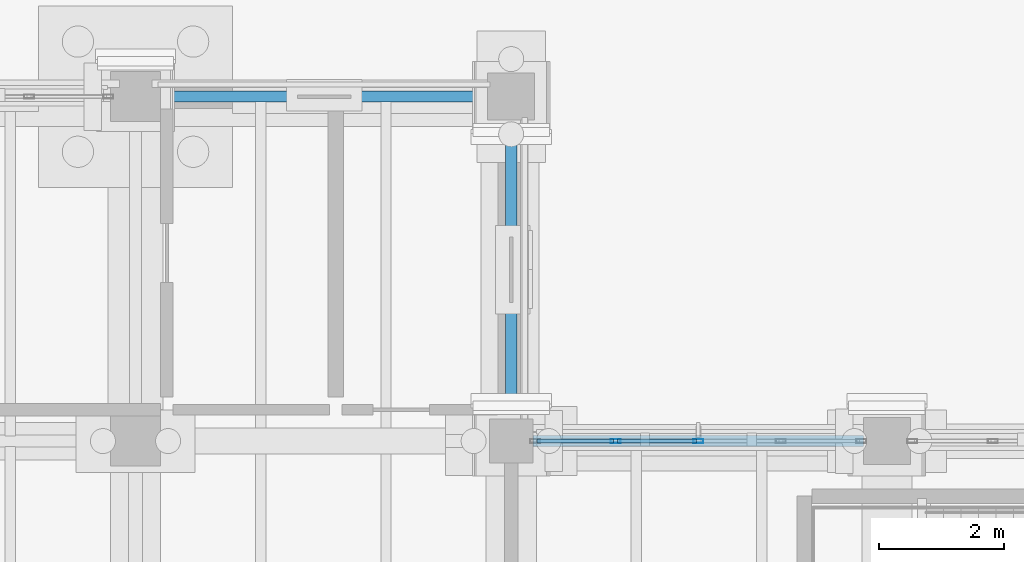
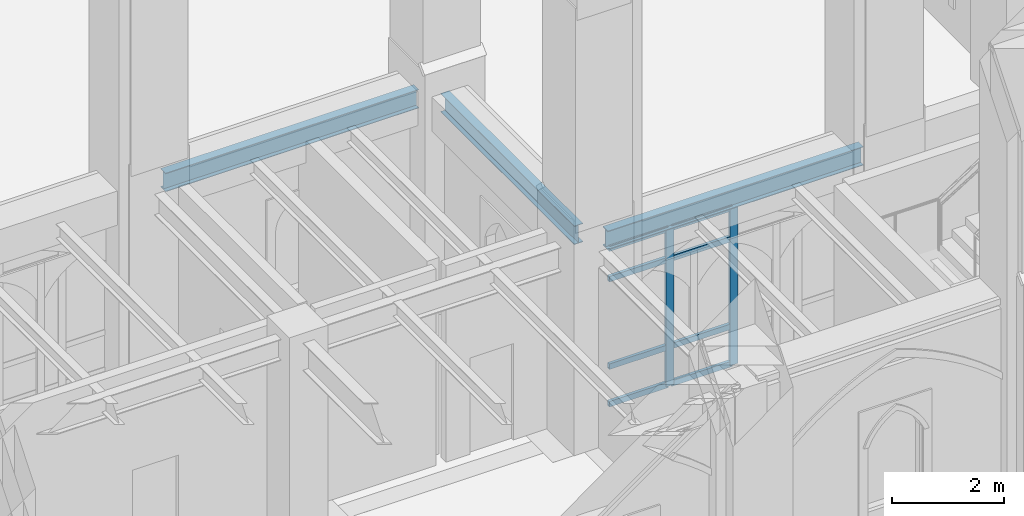
# One storey, part 26 of 135: 10 members, 3 beams, 1 element without a shape of its own.
"""IFC4 building model written with IfcOpenShell, lengths in metres."""

import ifcopenshell
import ifcopenshell.guid

model = None  # the IFC model being written
_history = None  # IfcOwnerHistory: only IFC2X3 demands one
_inside = {}  # id of a spatial element -> (the spatial element, [elements in it])
_under = {}  # id of a project, library or spatial element -> (it, [spatial elements below it])
_declared = {}  # id of a project -> (the project, [libraries it declares])
_typed = {}  # id of a type object -> (the type object, [elements of that type])
_made_of = {}  # id of a material, layer set ... -> (it, [elements and type objects made of it])


def new_model(schema):
    """Start an empty IFC model of exactly this schema.

    Asked for "IFC4X3", IfcOpenShell would pick the latest addendum, in which some entities
    have other attributes; the version numbers below select the first issue.
    IFC2X3 requires an IfcOwnerHistory on every rooted entity: one is made here for all.
    """
    global model, _history
    if schema == "IFC4X3":
        model = ifcopenshell.file(schema_version=(4, 3, 0, 0))
    else:
        model = ifcopenshell.file(schema=schema)
    _inside.clear()
    _under.clear()
    _declared.clear()
    _typed.clear()
    _made_of.clear()
    _history = None
    if model.schema == "IFC2X3":
        org = make("IfcOrganization", Name="unknown")
        user = make(
            "IfcPersonAndOrganization",
            ThePerson=make("IfcPerson", FamilyName="unknown"),
            TheOrganization=org,
        )
        app = make(
            "IfcApplication",
            ApplicationDeveloper=org,
            Version="unknown",
            ApplicationFullName="unknown",
            ApplicationIdentifier="unknown",
        )
        _history = make(
            "IfcOwnerHistory",
            OwningUser=user,
            OwningApplication=app,
            ChangeAction="ADDED",
            CreationDate=0,
        )
    return model


def make(cls, **values):
    """One entity of the class cls with the attributes given. An attribute that is None is left unset."""
    return model.create_entity(
        cls, **{name: value for name, value in values.items() if value is not None}
    )


def rooted(cls, **values):
    """An entity with a GlobalId (a new one), such as an element, a storey or a relation."""
    return make(cls, GlobalId=ifcopenshell.guid.new(), OwnerHistory=_history, **values)


def si_unit(unit_type, name, prefix=None):
    """IfcSIUnit, for example si_unit("LENGTHUNIT", "METRE", prefix="MILLI")."""
    return make("IfcSIUnit", UnitType=unit_type, Prefix=prefix, Name=name)


def assignment(units):
    """IfcUnitAssignment: the units of a project."""
    return None if units is None else make("IfcUnitAssignment", Units=units)


def point(xyz):
    """IfcCartesianPoint."""
    return None if xyz is None else make("IfcCartesianPoint", Coordinates=xyz)


def direction(xyz):
    """IfcDirection."""
    return None if xyz is None else make("IfcDirection", DirectionRatios=xyz)


def frame(location, z_axis=None, x_axis=None):
    """IfcAxis2Placement3D, a coordinate frame: its origin and axes. An axis left out is left unset."""
    return make(
        "IfcAxis2Placement3D",
        Location=point(location),
        Axis=direction(z_axis),
        RefDirection=direction(x_axis),
    )


def frame_2d(location, x_axis=None):
    """IfcAxis2Placement2D, a coordinate frame in the plane: its origin and x axis."""
    return make(
        "IfcAxis2Placement2D", Location=point(location), RefDirection=direction(x_axis)
    )


def origin():
    """The frame at (0, 0, 0) with its axes left unset."""
    return frame((0.0, 0.0, 0.0))


def origin_2d():
    """The frame at (0, 0) in the plane with its x axis left unset."""
    return frame_2d((0.0, 0.0))


def place(relative_to, where):
    """IfcLocalPlacement: puts the frame where relative to a parent placement (None: the world)."""
    return make(
        "IfcLocalPlacement", PlacementRelTo=relative_to, RelativePlacement=where
    )


def context(
    kind, dimensions, precision=None, world=None, true_north=None, identifier=None
):
    """IfcGeometricRepresentationContext, for example the 3D "Model" context."""
    return make(
        "IfcGeometricRepresentationContext",
        ContextIdentifier=identifier,
        ContextType=kind,
        CoordinateSpaceDimension=dimensions,
        Precision=precision,
        WorldCoordinateSystem=world,
        TrueNorth=true_north,
    )


def subcontext(parent, identifier, kind, view, scale=None):
    """IfcGeometricRepresentationSubContext, for example "Body" below "Model"."""
    return make(
        "IfcGeometricRepresentationSubContext",
        ContextIdentifier=identifier,
        ContextType=kind,
        ParentContext=parent,
        TargetScale=scale,
        TargetView=view,
    )


def project(units=None, contexts=None):
    """IfcProject with its units and contexts."""
    return rooted(
        "IfcProject",
        Name="project",
        RepresentationContexts=contexts,
        UnitsInContext=assignment(units),
    )


def spatial(cls, under=None, at=None, **own):
    """A site, building, storey or space (cls), placed at a placement, below another one or the project."""
    s = rooted(cls, ObjectPlacement=at, **own)
    if under is not None:
        _under.setdefault(under.id(), (under, []))[1].append(s)
    return s


def profile(cls, at=None, kind="AREA", **sizes):
    """A parametric profile (cls). Its sizes go by their IFC names, for example OverallWidth=200.0."""
    return make(cls, ProfileType=kind, Position=at, **sizes)


def hollow_rectangle(**sizes):
    """IfcRectangleHollowProfileDef."""
    return profile("IfcRectangleHollowProfileDef", **sizes)


def i_section(**sizes):
    """IfcIShapeProfileDef."""
    return profile("IfcIShapeProfileDef", **sizes)


def extrude(swept, where, along, depth):
    """IfcExtrudedAreaSolid: the profile swept, set in the frame where, extruded along a direction by depth."""
    return make(
        "IfcExtrudedAreaSolid",
        SweptArea=swept,
        Position=where,
        ExtrudedDirection=direction(along),
        Depth=depth,
    )


def shape(context_of_items, identifier, shape_type, items):
    """IfcShapeRepresentation: the items that make up one representation, for example the "Body"."""
    return make(
        "IfcShapeRepresentation",
        ContextOfItems=context_of_items,
        RepresentationIdentifier=identifier,
        RepresentationType=shape_type,
        Items=items,
    )


def material(Name=None, Category=None):
    """IfcMaterial."""
    return make("IfcMaterial", Name=Name, Category=Category)


def layer(
    of_material, thickness, ventilated=None, Name=None, Category=None, Priority=None
):
    """IfcMaterialLayer: one layer of a wall or slab, of a material (None: an air gap)."""
    return make(
        "IfcMaterialLayer",
        Material=of_material,
        LayerThickness=thickness,
        IsVentilated=ventilated,
        Name=Name,
        Category=Category,
        Priority=Priority,
    )


def layer_set(layers, Name=None):
    """IfcMaterialLayerSet."""
    return make("IfcMaterialLayerSet", MaterialLayers=layers, LayerSetName=Name)


def material_profile(
    of_material, cross_section, Name=None, Category=None, Priority=None
):
    """IfcMaterialProfile: a cross section and its material."""
    return make(
        "IfcMaterialProfile",
        Name=Name,
        Material=of_material,
        Profile=cross_section,
        Priority=Priority,
        Category=Category,
    )


def profile_set(profiles, Name=None, composite=None):
    """IfcMaterialProfileSet."""
    return make(
        "IfcMaterialProfileSet",
        Name=Name,
        MaterialProfiles=profiles,
        CompositeProfile=composite,
    )


def made_of(thing, what):
    """Note that an element or type object is made of a material, layer set ...; save() writes the relation."""
    if what is not None:
        _made_of.setdefault(what.id(), (what, []))[1].append(thing)
    return thing


def type_object(cls, material=None, **own):
    """A type object (cls), such as IfcWallType, which elements share."""
    return made_of(rooted(cls, **own), material)


def element(
    cls,
    number,
    at=None,
    inside=None,
    cuts=None,
    type_object=None,
    material=None,
    context=None,
    identifier="Body",
    shape_type=None,
    held_by="IfcProductDefinitionShape",
    body=None,
    shapes=None,
    **own,
):
    """One element of the class cls, such as IfcWall. Its Tag is "e" and its number.

    at: its placement. inside: the storey or other place that contains it. cuts: it is an
    opening in that element (IfcRelVoidsElement). A single representation is given by context,
    identifier, shape_type and body (its items); several are given by shapes. held_by: the class
    of the entity that holds the representations. save() writes the other relations.
    """
    e = rooted(cls, Tag="e%d" % number, ObjectPlacement=at, **own)
    if body is not None:
        shapes = [shape(context, identifier, shape_type, body)]
    if shapes is not None:
        e.Representation = make(held_by, Representations=shapes)
    if inside is not None:
        _inside.setdefault(inside.id(), (inside, []))[1].append(e)
    if cuts is not None:
        rooted(
            "IfcRelVoidsElement", RelatingBuildingElement=cuts, RelatedOpeningElement=e
        )
    if type_object is not None:
        _typed.setdefault(type_object.id(), (type_object, []))[1].append(e)
    return made_of(e, material)


def aggregate(whole, parts):
    """IfcRelAggregates: a whole, such as a stair, and the parts it consists of."""
    return rooted("IfcRelAggregates", RelatingObject=whole, RelatedObjects=parts)


def save(model, path):
    """Write the relations noted so far, then the file.

    IfcRelAggregates (storeys below a building ...), IfcRelContainedInSpatialStructure (elements
    in a storey), IfcRelDefinesByType, IfcRelAssociatesMaterial and IfcRelDeclares: one each for
    every whole, place, type object, material and project.
    """
    for whole, parts in _under.values():
        aggregate(whole, parts)
    for where, things in _inside.values():
        rooted(
            "IfcRelContainedInSpatialStructure",
            RelatedElements=things,
            RelatingStructure=where,
        )
    for kind, things in _typed.values():
        rooted("IfcRelDefinesByType", RelatedObjects=things, RelatingType=kind)
    for what, things in _made_of.values():
        rooted("IfcRelAssociatesMaterial", RelatedObjects=things, RelatingMaterial=what)
    for by, libraries in _declared.values():
        rooted("IfcRelDeclares", RelatingContext=by, RelatedDefinitions=libraries)
    model.write(path)


model = new_model("IFC4")

# Units and contexts
model_context = context("Model", 3, precision=1e-05, world=origin(), true_north=direction((0.0, 1.0)))
body_context = subcontext(model_context, "Body", "Model", "MODEL_VIEW")
ifc_project = project(units=[si_unit("LENGTHUNIT", "METRE"), si_unit("AREAUNIT", "SQUARE_METRE"), si_unit("VOLUMEUNIT", "CUBIC_METRE"), si_unit("PLANEANGLEUNIT", "RADIAN"), si_unit("MASSUNIT", "GRAM", prefix="KILO")], contexts=[model_context])

# Site, building, storey
site_placement = place(None, origin())
site = spatial("IfcSite", under=ifc_project, at=site_placement, CompositionType="ELEMENT")
building_placement = place(site_placement, origin())
building = spatial("IfcBuilding", under=site, at=building_placement, Name="Cumevento Cable Car Station", CompositionType="ELEMENT")
storey_placement = place(building_placement, origin())
storey = spatial("IfcBuildingStorey", under=building, at=storey_placement, Name="L01", CompositionType="ELEMENT", Elevation=0.0)

# Curtain wall, members
ifc_material_1 = material(Name="Anodised Bronze Aluminium AW-6063-T6", Category="aluminium")
ifc_layer = layer(ifc_material_1, 0.18994140625)
ifc_layer_set = layer_set([ifc_layer], Name="Anodised Bronze Aluminium AW-6063-T6")
curtain_wall_type = type_object("IfcCurtainWallType", Name="Lancet Curtain Wall CW-06 1250", PredefinedType="NOTDEFINED", material=ifc_layer_set)
curtain_wall_placement = place(storey_placement, origin())
curtain_wall = element("IfcCurtainWall", 1, at=curtain_wall_placement, inside=storey, type_object=curtain_wall_type, Name="Lancet Curtain Wall CW-06 L01 #5", PredefinedType="NOTDEFINED")
ifc_material_2 = material(Name="Anodised Bronze Aluminium AW-6063-T6", Category="aluminium")
ifc_material_profile_1 = material_profile(ifc_material_2, hollow_rectangle(XDim=0.06494140625, YDim=0.159912109375, WallThickness=0.00390625, at=origin_2d()), Name="ALUM65x160x4")
ifc_profile_set_1 = profile_set([ifc_material_profile_1], Name="Anodised Bronze Aluminium AW-6063-T6")
member_type_1 = type_object("IfcMemberType", Name="Curtain Mullion CWM-01 ALUM65x160x4", PredefinedType="MULLION", material=ifc_profile_set_1)
member_1_placement = place(storey_placement, frame((47.668701171875, 9.5, 0.409912109375), z_axis=(0.0, 0.0, 1.0), x_axis=(0.0, 1.0, 0.0)))
member_1 = element("IfcMember", 2, at=member_1_placement, type_object=member_type_1, Name="CW-06 mullion 2", PredefinedType="MULLION", context=body_context, shape_type="SweptSolid", body=[
    extrude(hollow_rectangle(XDim=0.06494140625, YDim=0.159912109375, WallThickness=0.00390625, at=origin_2d()), origin(), (0.0, 0.0, 1.0), 3.458984375),
])
member_2_placement = place(storey_placement, frame((48.987548828125, 9.5, 0.409912109375), z_axis=(0.0, 0.0, 1.0), x_axis=(0.0, 1.0, 0.0)))
member_2 = element("IfcMember", 3, at=member_2_placement, type_object=member_type_1, Name="CW-06 mullion 3", PredefinedType="MULLION", context=body_context, shape_type="SweptSolid", body=[
    extrude(hollow_rectangle(XDim=0.06494140625, YDim=0.159912109375, WallThickness=0.00390625, at=origin_2d()), origin(), (0.0, 0.0, 1.0), 3.458984375),
])
ifc_material_3 = material(Name="Anodised Bronze Aluminium AW-6063-T6", Category="aluminium")
ifc_material_profile_2 = material_profile(ifc_material_3, hollow_rectangle(XDim=0.06494140625, YDim=0.1201171875, WallThickness=0.00390625, at=origin_2d()), Name="ALUT65x120x4")
ifc_profile_set_2 = profile_set([ifc_material_profile_2], Name="Anodised Bronze Aluminium AW-6063-T6")
member_type_2 = type_object("IfcMemberType", Name="Curtain Transom CWT-01 ALUT65x120x4", PredefinedType="USERDEFINED", material=ifc_profile_set_2)
member_3_placement = place(storey_placement, frame((46.4150390625, 9.5, 0.4423828125), z_axis=(1.0, 0.0, 0.0), x_axis=(0.0, 1.0, 0.0)))
member_3 = element("IfcMember", 4, at=member_3_placement, type_object=member_type_2, Name="CW-06 transom 1.1", ObjectType="TRANSOM", PredefinedType="USERDEFINED", context=body_context, shape_type="SweptSolid", body=[
    extrude(hollow_rectangle(XDim=0.06494140625, YDim=0.1201171875, WallThickness=0.00390625, at=origin_2d()), origin(), (0.0, 0.0, 1.0), 1.22119140625),
])
member_4_placement = place(storey_placement, frame((46.4150390625, 9.5, 1.260009765625), z_axis=(1.0, 0.0, 0.0), x_axis=(0.0, 1.0, 0.0)))
member_4 = element("IfcMember", 5, at=member_4_placement, type_object=member_type_2, Name="CW-06 transom 1.2", ObjectType="TRANSOM", PredefinedType="USERDEFINED", context=body_context, shape_type="SweptSolid", body=[
    extrude(hollow_rectangle(XDim=0.06494140625, YDim=0.1201171875, WallThickness=0.00390625, at=origin_2d()), origin(), (0.0, 0.0, 1.0), 1.22119140625),
])
member_5_placement = place(storey_placement, frame((46.4150390625, 9.5, 3.1689453125), z_axis=(1.0, 0.0, 0.0), x_axis=(0.0, 1.0, 0.0)))
member_5 = element("IfcMember", 6, at=member_5_placement, type_object=member_type_2, Name="CW-06 transom 1.3", ObjectType="TRANSOM", PredefinedType="USERDEFINED", context=body_context, shape_type="SweptSolid", body=[
    extrude(hollow_rectangle(XDim=0.06494140625, YDim=0.1201171875, WallThickness=0.00390625, at=origin_2d()), origin(), (0.0, 0.0, 1.0), 1.22119140625),
])
member_6_placement = place(storey_placement, frame((46.4150390625, 9.5, 3.83642578125), z_axis=(1.0, 0.0, 0.0), x_axis=(0.0, 1.0, 0.0)))
member_6 = element("IfcMember", 7, at=member_6_placement, type_object=member_type_2, Name="CW-06 transom 1.4", ObjectType="TRANSOM", PredefinedType="USERDEFINED", context=body_context, shape_type="SweptSolid", body=[
    extrude(hollow_rectangle(XDim=0.06494140625, YDim=0.1201171875, WallThickness=0.00390625, at=origin_2d()), origin(), (0.0, 0.0, 1.0), 1.22119140625),
])
member_7_placement = place(storey_placement, frame((47.701171875, 9.5, 0.4423828125), z_axis=(1.0, 0.0, 0.0), x_axis=(0.0, 1.0, 0.0)))
member_7 = element("IfcMember", 8, at=member_7_placement, type_object=member_type_2, Name="CW-06 transom 2.1", ObjectType="TRANSOM", PredefinedType="USERDEFINED", context=body_context, shape_type="SweptSolid", body=[
    extrude(hollow_rectangle(XDim=0.06494140625, YDim=0.1201171875, WallThickness=0.00390625, at=origin_2d()), origin(), (0.0, 0.0, 1.0), 1.25390625),
])
member_8_placement = place(storey_placement, frame((47.701171875, 9.5, 1.260009765625), z_axis=(1.0, 0.0, 0.0), x_axis=(0.0, 1.0, 0.0)))
member_8 = element("IfcMember", 9, at=member_8_placement, type_object=member_type_2, Name="CW-06 transom 2.2", ObjectType="TRANSOM", PredefinedType="USERDEFINED", context=body_context, shape_type="SweptSolid", body=[
    extrude(hollow_rectangle(XDim=0.06494140625, YDim=0.1201171875, WallThickness=0.00390625, at=origin_2d()), origin(), (0.0, 0.0, 1.0), 1.25390625),
])
member_9_placement = place(storey_placement, frame((47.701171875, 9.5, 3.1689453125), z_axis=(1.0, 0.0, 0.0), x_axis=(0.0, 1.0, 0.0)))
member_9 = element("IfcMember", 10, at=member_9_placement, type_object=member_type_2, Name="CW-06 transom 2.3", ObjectType="TRANSOM", PredefinedType="USERDEFINED", context=body_context, shape_type="SweptSolid", body=[
    extrude(hollow_rectangle(XDim=0.06494140625, YDim=0.1201171875, WallThickness=0.00390625, at=origin_2d()), origin(), (0.0, 0.0, 1.0), 1.25390625),
])
member_10_placement = place(storey_placement, frame((47.701171875, 9.5, 3.83642578125), z_axis=(1.0, 0.0, 0.0), x_axis=(0.0, 1.0, 0.0)))
member_10 = element("IfcMember", 11, at=member_10_placement, type_object=member_type_2, Name="CW-06 transom 2.4", ObjectType="TRANSOM", PredefinedType="USERDEFINED", context=body_context, shape_type="SweptSolid", body=[
    extrude(hollow_rectangle(XDim=0.06494140625, YDim=0.1201171875, WallThickness=0.00390625, at=origin_2d()), origin(), (0.0, 0.0, 1.0), 1.25390625),
])
aggregate(curtain_wall, [member_1, member_2, member_3, member_4, member_5, member_6, member_7, member_8, member_9, member_10])

# Beams
ifc_material_4 = material(Name="Steel ASTM A572 Grade 50", Category="steel")
ifc_material_profile_3 = material_profile(ifc_material_4, i_section(OverallWidth=0.177978515625, OverallDepth=0.406982421875, WebThickness=0.0078125, FlangeThickness=0.0126953125, at=origin_2d()), Name="W410x60.0")
ifc_profile_set_3 = profile_set([ifc_material_profile_3], Name="Steel ASTM A572 Grade 50")
beam_type = type_object("IfcBeamType", Name="Structural Spandrel SP-01 W410x60.0", PredefinedType="SPANDREL", material=ifc_profile_set_3)
beam_1_placement = place(storey_placement, frame((40.39990234375, 15.0, 4.08447265625), z_axis=(1.0, 0.0, 0.0), x_axis=(0.0, 1.0, 0.0)))
element("IfcBeam", 12, at=beam_1_placement, inside=storey, type_object=beam_type, Name="Beam SP-01 L01 #12", PredefinedType="SPANDREL", context=body_context, shape_type="SweptSolid", body=[
    extrude(i_section(OverallWidth=0.177978515625, OverallDepth=0.406982421875, WebThickness=0.0078125, FlangeThickness=0.0126953125, at=origin_2d()), origin(), (0.0, 0.0, 1.0), 5.22509765625),
])
beam_2_placement = place(storey_placement, frame((46.0, 9.85009765625, 4.072509765625), z_axis=(0.0, 1.0, 0.0), x_axis=(-1.0, 0.0, 0.0)))
element("IfcBeam", 13, at=beam_2_placement, inside=storey, type_object=beam_type, Name="Beam SP-01 L01 #22", PredefinedType="SPANDREL", context=body_context, shape_type="SweptSolid", body=[
    extrude(i_section(OverallWidth=0.177978515625, OverallDepth=0.406982421875, WebThickness=0.0078125, FlangeThickness=0.0126953125, at=origin_2d()), origin(), (0.0, 0.0, 1.0), 4.77490234375),
])
beam_3_placement = place(storey_placement, frame((46.35009765625, 9.5, 4.072509765625), z_axis=(1.0, 0.0, 0.0), x_axis=(0.0, 1.0, 0.0)))
element("IfcBeam", 14, at=beam_3_placement, inside=storey, type_object=beam_type, Name="Beam SP-01 L01 #29", PredefinedType="SPANDREL", context=body_context, shape_type="SweptSolid", body=[
    extrude(i_section(OverallWidth=0.177978515625, OverallDepth=0.406982421875, WebThickness=0.0078125, FlangeThickness=0.0126953125, at=origin_2d()), origin(), (0.0, 0.0, 1.0), 5.27490234375),
])

save(model, "model.ifc")
